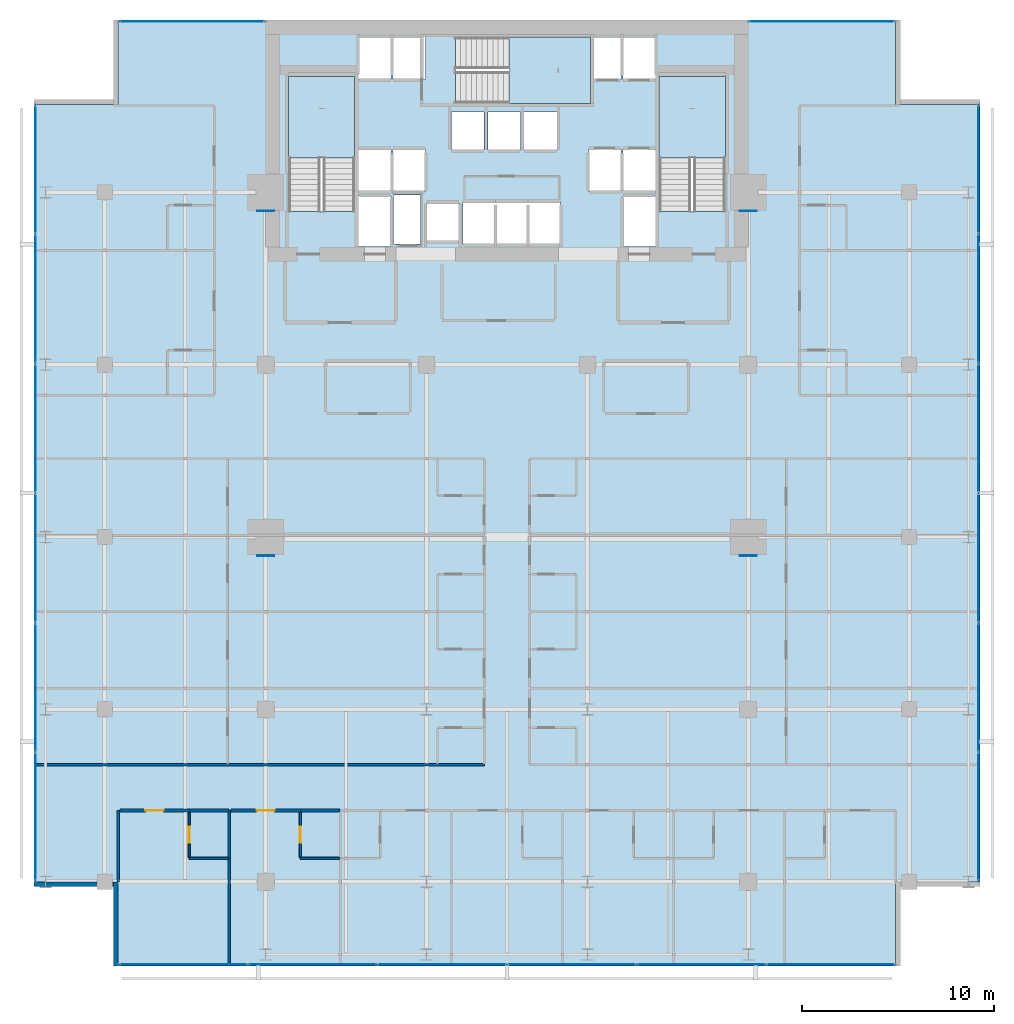
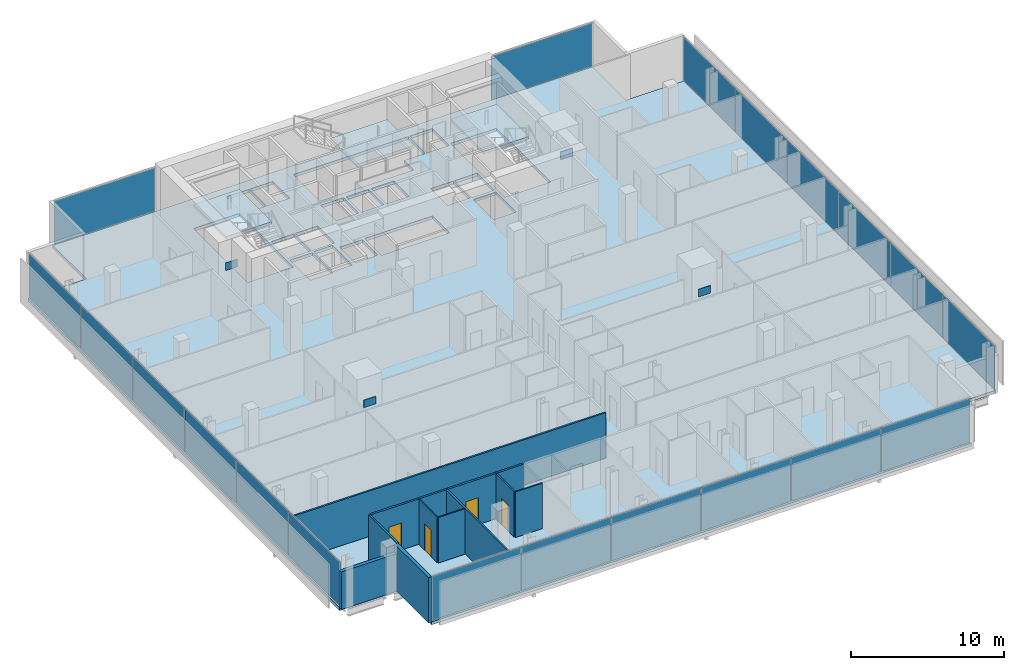
# One storey, part 26 of 34: 24 plates, 13 walls, 4 doors, 4 slabs, 4 openings, 8 elements without a shape of their own.
"""IFC4 building model written with IfcOpenShell, lengths in metres."""

from ifc_helpers import new_model, si_unit, direction, frame, frame_2d, origin, origin_2d, place, context, subcontext, project, spatial, polyline, rectangle, outline, extrude, material, layer, layer_set, type_object, element, fill, aggregate, save


model = new_model("IFC4")

# Units and contexts
model_context = context("Model", 3, precision=1e-05, world=origin(), true_north=direction((0.0, 1.0)))
body_context = subcontext(model_context, "Body", "Model", "MODEL_VIEW")
ifc_project = project(units=[si_unit("LENGTHUNIT", "METRE"), si_unit("AREAUNIT", "SQUARE_METRE"), si_unit("VOLUMEUNIT", "CUBIC_METRE"), si_unit("PLANEANGLEUNIT", "RADIAN"), si_unit("MASSUNIT", "GRAM", prefix="KILO")], contexts=[model_context])

# Site, building, storey
site_placement = place(None, origin())
site = spatial("IfcSite", under=ifc_project, at=site_placement, CompositionType="ELEMENT")
building_placement = place(site_placement, origin())
building = spatial("IfcBuilding", under=site, at=building_placement, Name="Maruvema Waterfront Hotel and Observation Tower", CompositionType="ELEMENT")
storey_placement = place(building_placement, frame((0.0, 0.0, 127.39990234375)))
storey = spatial("IfcBuildingStorey", under=building, at=storey_placement, Name="L30", CompositionType="ELEMENT", Elevation=127.39990234375)

# Slab
ifc_material_1 = material(Name="Concrete C50/60", Category="concrete")
ifc_layer_1 = layer(ifc_material_1, 0.239990234375, Name="Reinforced Concrete Floor Slab 240 mm")
ifc_layer_set_1 = layer_set([ifc_layer_1], Name="Concrete C50/60")
slab_type_1 = type_object("IfcSlabType", Name="Reinforced Concrete Floor Slab 240 mm", PredefinedType="FLOOR", material=ifc_layer_set_1)
slab_1_placement = place(storey_placement, frame((0.0, 0.0, -0.239990234375)))
element("IfcSlab", 1, at=slab_1_placement, inside=storey, type_object=slab_type_1, Name="L30 Structural Floor Slab", PredefinedType="FLOOR", context=body_context, shape_type="SweptSolid", body=[
    extrude(outline(polyline([(17.5, 4.60009765625), (58.10009765625, 4.60009765625), (58.10009765625, 9.0), (62.5, 9.0), (62.5, 49.60009765625), (58.10009765625, 49.60009765625), (58.10009765625, 54.0), (17.5, 54.0), (17.5, 49.60009765625), (13.10009765625, 49.60009765625), (13.10009765625, 9.0), (17.5, 9.0), (17.5, 4.60009765625)]), holes=[polyline([(26.39990234375, 44.00048828125), (26.39990234375, 51.050048828125), (29.85009765625, 51.050048828125), (29.85009765625, 44.00048828125), (26.39990234375, 44.00048828125)]), polyline([(30.050048828125, 44.800048828125), (31.75, 44.800048828125), (31.75, 42.169921875), (30.050048828125, 42.169921875), (30.050048828125, 44.800048828125)]), polyline([(31.75, 47.25), (31.75, 45.050048828125), (30.050048828125, 45.050048828125), (30.050048828125, 47.25), (31.75, 47.25)]), polyline([(31.75, 53.10009765625), (31.75, 50.89990234375), (30.050048828125, 50.89990234375), (30.050048828125, 53.10009765625), (31.75, 53.10009765625)]), polyline([(33.280029296875, 44.860107421875), (33.280029296875, 42.2900390625), (31.8798828125, 42.2900390625), (31.8798828125, 44.860107421875), (33.280029296875, 44.860107421875)]), polyline([(31.85009765625, 47.25), (33.550048828125, 47.25), (33.550048828125, 45.050048828125), (31.85009765625, 45.050048828125), (31.85009765625, 47.25)]), polyline([(31.85009765625, 53.10009765625), (33.550048828125, 53.10009765625), (33.550048828125, 50.89990234375), (31.85009765625, 50.89990234375), (31.85009765625, 53.10009765625)]), polyline([(33.60009765625, 44.449951171875), (35.300048828125, 44.449951171875), (35.300048828125, 42.449951171875), (33.60009765625, 42.449951171875), (33.60009765625, 44.449951171875)]), polyline([(34.89990234375, 49.199951171875), (36.60009765625, 49.199951171875), (36.60009765625, 47.199951171875), (34.89990234375, 47.199951171875), (34.89990234375, 49.199951171875)]), polyline([(38.5, 49.199951171875), (38.5, 47.199951171875), (36.800048828125, 47.199951171875), (36.800048828125, 49.199951171875), (38.5, 49.199951171875)]), polyline([(35.5, 44.5), (40.60009765625, 44.5), (40.60009765625, 42.300048828125), (35.5, 42.300048828125), (35.5, 44.5)]), polyline([(43.75, 50.89990234375), (42.14990234375, 50.89990234375), (42.14990234375, 49.64990234375), (35.1005859375, 49.64990234375), (35.1005859375, 53.10009765625), (43.75, 53.10009765625), (43.75, 50.89990234375)]), polyline([(40.39990234375, 49.199951171875), (40.39990234375, 47.199951171875), (38.699951171875, 47.199951171875), (38.699951171875, 49.199951171875), (40.39990234375, 49.199951171875)]), polyline([(43.75, 47.25), (43.75, 45.050048828125), (42.050048828125, 45.050048828125), (42.050048828125, 47.25), (43.75, 47.25)]), polyline([(45.550048828125, 44.800048828125), (45.550048828125, 42.169921875), (43.85009765625, 42.169921875), (43.85009765625, 44.800048828125), (45.550048828125, 44.800048828125)]), polyline([(43.85009765625, 47.25), (45.550048828125, 47.25), (45.550048828125, 45.050048828125), (43.85009765625, 45.050048828125), (43.85009765625, 47.25)]), polyline([(45.550048828125, 53.10009765625), (45.550048828125, 50.89990234375), (43.85009765625, 50.89990234375), (43.85009765625, 53.10009765625), (45.550048828125, 53.10009765625)]), polyline([(45.75, 51.050048828125), (49.199951171875, 51.050048828125), (49.199951171875, 44.00048828125), (45.75, 44.00048828125), (45.75, 51.050048828125)])]), origin(), (0.0, 0.0, 1.0), 0.239990234375),
])

# Curtain wall, plates
ifc_material_2 = material(Name="Anodised bronze aluminium and solar-control low-E IGU", Category="aluminium")
ifc_layer_2 = layer(ifc_material_2, 0.159912109375, Name="Zone 2 Amber Inner Thermal Curtain Wall System CW-03")
ifc_layer_set_2 = layer_set([ifc_layer_2], Name="Anodised bronze aluminium and solar-control low-E IGU")
curtain_wall_type = type_object("IfcCurtainWallType", Name="Zone 2 Amber Inner Thermal Curtain Wall System CW-03", PredefinedType="USERDEFINED", material=ifc_layer_set_2)
curtain_wall_1_placement = place(storey_placement, origin())
curtain_wall_1 = element("IfcCurtainWall", 2, at=curtain_wall_1_placement, inside=storey, type_object=curtain_wall_type, Name="L30 Curtain Wall CW-L30-S", ObjectType="UNITISED CURTAIN WALL", PredefinedType="USERDEFINED")
ifc_material_3 = material(Name="Laminated low-E solar-control double glazing", Category="glass")
ifc_layer_3 = layer(ifc_material_3, 0.035888671875, Name="Solar Control Double-Glazed Curtain Panel 36 mm")
ifc_layer_set_3 = layer_set([ifc_layer_3], Name="Laminated low-E solar-control double glazing")
plate_type_1 = type_object("IfcPlateType", Name="Solar Control Double-Glazed Curtain Panel 36 mm", PredefinedType="CURTAIN_PANEL", material=ifc_layer_set_3)
plate_1_placement = place(storey_placement, frame((20.8984375, 4.679931640625, 0.06005859375), z_axis=(0.0, 0.0, 1.0), x_axis=(1.0, 0.0, 0.0)))
plate_1 = element("IfcPlate", 3, at=plate_1_placement, type_object=plate_type_1, Name="CW-03 panel 1.1", PredefinedType="CURTAIN_PANEL", context=body_context, shape_type="SweptSolid", body=[
    extrude(rectangle(XDim=6.6767578125, YDim=0.028076171875, at=origin_2d()), origin(), (0.0, 0.0, 1.0), 3.489990234375),
])
plate_2_placement = place(storey_placement, frame((27.64990234375, 4.679931640625, 0.06005859375), z_axis=(0.0, 0.0, 1.0), x_axis=(1.0, 0.0, 0.0)))
plate_2 = element("IfcPlate", 4, at=plate_2_placement, type_object=plate_type_1, Name="CW-03 panel 2.1", PredefinedType="CURTAIN_PANEL", context=body_context, shape_type="SweptSolid", body=[
    extrude(rectangle(XDim=6.706787109375, YDim=0.028076171875, at=origin_2d()), origin(), (0.0, 0.0, 1.0), 3.489990234375),
])
plate_3_placement = place(storey_placement, frame((34.416748046875, 4.679931640625, 0.06005859375), z_axis=(0.0, 0.0, 1.0), x_axis=(1.0, 0.0, 0.0)))
plate_3 = element("IfcPlate", 5, at=plate_3_placement, type_object=plate_type_1, Name="CW-03 panel 3.1", PredefinedType="CURTAIN_PANEL", context=body_context, shape_type="SweptSolid", body=[
    extrude(rectangle(XDim=6.706787109375, YDim=0.028076171875, at=origin_2d()), origin(), (0.0, 0.0, 1.0), 3.489990234375),
])
plate_4_placement = place(storey_placement, frame((41.183349609375, 4.679931640625, 0.06005859375), z_axis=(0.0, 0.0, 1.0), x_axis=(1.0, 0.0, 0.0)))
plate_4 = element("IfcPlate", 6, at=plate_4_placement, type_object=plate_type_1, Name="CW-03 panel 4.1", PredefinedType="CURTAIN_PANEL", context=body_context, shape_type="SweptSolid", body=[
    extrude(rectangle(XDim=6.706787109375, YDim=0.028076171875, at=origin_2d()), origin(), (0.0, 0.0, 1.0), 3.489990234375),
])
plate_5_placement = place(storey_placement, frame((47.949951171875, 4.679931640625, 0.06005859375), z_axis=(0.0, 0.0, 1.0), x_axis=(1.0, 0.0, 0.0)))
plate_5 = element("IfcPlate", 7, at=plate_5_placement, type_object=plate_type_1, Name="CW-03 panel 5.1", PredefinedType="CURTAIN_PANEL", context=body_context, shape_type="SweptSolid", body=[
    extrude(rectangle(XDim=6.706787109375, YDim=0.028076171875, at=origin_2d()), origin(), (0.0, 0.0, 1.0), 3.489990234375),
])
plate_6_placement = place(storey_placement, frame((54.70166015625, 4.679931640625, 0.06005859375), z_axis=(0.0, 0.0, 1.0), x_axis=(1.0, 0.0, 0.0)))
plate_6 = element("IfcPlate", 8, at=plate_6_placement, type_object=plate_type_1, Name="CW-03 panel 6.1", PredefinedType="CURTAIN_PANEL", context=body_context, shape_type="SweptSolid", body=[
    extrude(rectangle(XDim=6.6767578125, YDim=0.028076171875, at=origin_2d()), origin(), (0.0, 0.0, 1.0), 3.489990234375),
])
aggregate(curtain_wall_1, [plate_1, plate_2, plate_3, plate_4, plate_5, plate_6])

curtain_wall_2_placement = place(storey_placement, origin())
curtain_wall_2 = element("IfcCurtainWall", 9, at=curtain_wall_2_placement, inside=storey, type_object=curtain_wall_type, Name="L30 Curtain Wall CW-L30-E", ObjectType="UNITISED CURTAIN WALL", PredefinedType="USERDEFINED")
plate_7_placement = place(storey_placement, frame((62.419921875, 12.3984375, 0.06005859375), z_axis=(0.0, 0.0, 1.0), x_axis=(0.0, 1.0, 0.0)))
plate_7 = element("IfcPlate", 10, at=plate_7_placement, type_object=plate_type_1, Name="CW-03 panel 1.1", PredefinedType="CURTAIN_PANEL", context=body_context, shape_type="SweptSolid", body=[
    extrude(rectangle(XDim=6.6767578125, YDim=0.028076171875, at=origin_2d()), origin(), (0.0, 0.0, 1.0), 3.489990234375),
])
plate_8_placement = place(storey_placement, frame((62.419921875, 19.14990234375, 0.06005859375), z_axis=(0.0, 0.0, 1.0), x_axis=(0.0, 1.0, 0.0)))
plate_8 = element("IfcPlate", 11, at=plate_8_placement, type_object=plate_type_1, Name="CW-03 panel 2.1", PredefinedType="CURTAIN_PANEL", context=body_context, shape_type="SweptSolid", body=[
    extrude(rectangle(XDim=6.706787109375, YDim=0.028076171875, at=origin_2d()), origin(), (0.0, 0.0, 1.0), 3.489990234375),
])
plate_9_placement = place(storey_placement, frame((62.419921875, 25.916748046875, 0.06005859375), z_axis=(0.0, 0.0, 1.0), x_axis=(0.0, 1.0, 0.0)))
plate_9 = element("IfcPlate", 12, at=plate_9_placement, type_object=plate_type_1, Name="CW-03 panel 3.1", PredefinedType="CURTAIN_PANEL", context=body_context, shape_type="SweptSolid", body=[
    extrude(rectangle(XDim=6.706787109375, YDim=0.028076171875, at=origin_2d()), origin(), (0.0, 0.0, 1.0), 3.489990234375),
])
plate_10_placement = place(storey_placement, frame((62.419921875, 32.683349609375, 0.06005859375), z_axis=(0.0, 0.0, 1.0), x_axis=(0.0, 1.0, 0.0)))
plate_10 = element("IfcPlate", 13, at=plate_10_placement, type_object=plate_type_1, Name="CW-03 panel 4.1", PredefinedType="CURTAIN_PANEL", context=body_context, shape_type="SweptSolid", body=[
    extrude(rectangle(XDim=6.706787109375, YDim=0.028076171875, at=origin_2d()), origin(), (0.0, 0.0, 1.0), 3.489990234375),
])
plate_11_placement = place(storey_placement, frame((62.419921875, 39.449951171875, 0.06005859375), z_axis=(0.0, 0.0, 1.0), x_axis=(0.0, 1.0, 0.0)))
plate_11 = element("IfcPlate", 14, at=plate_11_placement, type_object=plate_type_1, Name="CW-03 panel 5.1", PredefinedType="CURTAIN_PANEL", context=body_context, shape_type="SweptSolid", body=[
    extrude(rectangle(XDim=6.706787109375, YDim=0.028076171875, at=origin_2d()), origin(), (0.0, 0.0, 1.0), 3.489990234375),
])
plate_12_placement = place(storey_placement, frame((62.419921875, 46.20166015625, 0.06005859375), z_axis=(0.0, 0.0, 1.0), x_axis=(0.0, 1.0, 0.0)))
plate_12 = element("IfcPlate", 15, at=plate_12_placement, type_object=plate_type_1, Name="CW-03 panel 6.1", PredefinedType="CURTAIN_PANEL", context=body_context, shape_type="SweptSolid", body=[
    extrude(rectangle(XDim=6.6767578125, YDim=0.028076171875, at=origin_2d()), origin(), (0.0, 0.0, 1.0), 3.489990234375),
])
aggregate(curtain_wall_2, [plate_7, plate_8, plate_9, plate_10, plate_11, plate_12])

curtain_wall_3_placement = place(storey_placement, origin())
curtain_wall_3 = element("IfcCurtainWall", 16, at=curtain_wall_3_placement, inside=storey, type_object=curtain_wall_type, Name="L30 Curtain Wall CW-L30-W", ObjectType="UNITISED CURTAIN WALL", PredefinedType="USERDEFINED")
plate_13_placement = place(storey_placement, frame((13.179931640625, 46.20166015625, 0.06005859375), z_axis=(0.0, 0.0, 1.0), x_axis=(0.0, -1.0, 0.0)))
plate_13 = element("IfcPlate", 17, at=plate_13_placement, type_object=plate_type_1, Name="CW-03 panel 1.1", PredefinedType="CURTAIN_PANEL", context=body_context, shape_type="SweptSolid", body=[
    extrude(rectangle(XDim=6.6767578125, YDim=0.028076171875, at=origin_2d()), origin(), (0.0, 0.0, 1.0), 3.489990234375),
])
plate_14_placement = place(storey_placement, frame((13.179931640625, 39.449951171875, 0.06005859375), z_axis=(0.0, 0.0, 1.0), x_axis=(0.0, -1.0, 0.0)))
plate_14 = element("IfcPlate", 18, at=plate_14_placement, type_object=plate_type_1, Name="CW-03 panel 2.1", PredefinedType="CURTAIN_PANEL", context=body_context, shape_type="SweptSolid", body=[
    extrude(rectangle(XDim=6.706787109375, YDim=0.028076171875, at=origin_2d()), origin(), (0.0, 0.0, 1.0), 3.489990234375),
])
plate_15_placement = place(storey_placement, frame((13.179931640625, 32.683349609375, 0.06005859375), z_axis=(0.0, 0.0, 1.0), x_axis=(0.0, -1.0, 0.0)))
plate_15 = element("IfcPlate", 19, at=plate_15_placement, type_object=plate_type_1, Name="CW-03 panel 3.1", PredefinedType="CURTAIN_PANEL", context=body_context, shape_type="SweptSolid", body=[
    extrude(rectangle(XDim=6.706787109375, YDim=0.028076171875, at=origin_2d()), origin(), (0.0, 0.0, 1.0), 3.489990234375),
])
plate_16_placement = place(storey_placement, frame((13.179931640625, 25.916748046875, 0.06005859375), z_axis=(0.0, 0.0, 1.0), x_axis=(0.0, -1.0, 0.0)))
plate_16 = element("IfcPlate", 20, at=plate_16_placement, type_object=plate_type_1, Name="CW-03 panel 4.1", PredefinedType="CURTAIN_PANEL", context=body_context, shape_type="SweptSolid", body=[
    extrude(rectangle(XDim=6.706787109375, YDim=0.028076171875, at=origin_2d()), origin(), (0.0, 0.0, 1.0), 3.489990234375),
])
plate_17_placement = place(storey_placement, frame((13.179931640625, 19.14990234375, 0.06005859375), z_axis=(0.0, 0.0, 1.0), x_axis=(0.0, -1.0, 0.0)))
plate_17 = element("IfcPlate", 21, at=plate_17_placement, type_object=plate_type_1, Name="CW-03 panel 5.1", PredefinedType="CURTAIN_PANEL", context=body_context, shape_type="SweptSolid", body=[
    extrude(rectangle(XDim=6.706787109375, YDim=0.028076171875, at=origin_2d()), origin(), (0.0, 0.0, 1.0), 3.489990234375),
])
plate_18_placement = place(storey_placement, frame((13.179931640625, 12.3984375, 0.06005859375), z_axis=(0.0, 0.0, 1.0), x_axis=(0.0, -1.0, 0.0)))
plate_18 = element("IfcPlate", 22, at=plate_18_placement, type_object=plate_type_1, Name="CW-03 panel 6.1", PredefinedType="CURTAIN_PANEL", context=body_context, shape_type="SweptSolid", body=[
    extrude(rectangle(XDim=6.6767578125, YDim=0.028076171875, at=origin_2d()), origin(), (0.0, 0.0, 1.0), 3.489990234375),
])
aggregate(curtain_wall_3, [plate_13, plate_14, plate_15, plate_16, plate_17, plate_18])

# Curtain wall, plate
curtain_wall_4_placement = place(storey_placement, origin())
curtain_wall_4 = element("IfcCurtainWall", 23, at=curtain_wall_4_placement, inside=storey, type_object=curtain_wall_type, Name="L30 Curtain Wall CW-L30-NW", ObjectType="UNITISED CURTAIN WALL", PredefinedType="USERDEFINED")
plate_19_placement = place(storey_placement, frame((21.35009765625, 53.919921875, 0.06005859375), z_axis=(0.0, 0.0, 1.0), x_axis=(-1.0, 0.0, 0.0)))
plate_19 = element("IfcPlate", 24, at=plate_19_placement, type_object=plate_type_1, Name="CW-03 panel 1.1", PredefinedType="CURTAIN_PANEL", context=body_context, shape_type="SweptSolid", body=[
    extrude(rectangle(XDim=7.580078125, YDim=0.028076171875, at=origin_2d()), origin(), (0.0, 0.0, 1.0), 3.489990234375),
])
aggregate(curtain_wall_4, [plate_19])

curtain_wall_5_placement = place(storey_placement, origin())
curtain_wall_5 = element("IfcCurtainWall", 25, at=curtain_wall_5_placement, inside=storey, type_object=curtain_wall_type, Name="L30 Curtain Wall CW-L30-NE", ObjectType="UNITISED CURTAIN WALL", PredefinedType="USERDEFINED")
plate_20_placement = place(storey_placement, frame((54.25, 53.919921875, 0.06005859375), z_axis=(0.0, 0.0, 1.0), x_axis=(-1.0, 0.0, 0.0)))
plate_20 = element("IfcPlate", 26, at=plate_20_placement, type_object=plate_type_1, Name="CW-03 panel 1.1", PredefinedType="CURTAIN_PANEL", context=body_context, shape_type="SweptSolid", body=[
    extrude(rectangle(XDim=7.580078125, YDim=0.028076171875, at=origin_2d()), origin(), (0.0, 0.0, 1.0), 3.489990234375),
])
aggregate(curtain_wall_5, [plate_20])

# Stair, slab
ifc_material_4 = material(Name="Concrete C50/60", Category="concrete")
stair_type = type_object("IfcStairType", Name="Dogleg Exit Stair 1650 mm (22R x 175.0 mm)", PredefinedType="HALF_TURN_STAIR", material=ifc_material_4)
stair_1_placement = place(storey_placement, origin())
stair_1 = element("IfcStair", 27, at=stair_1_placement, inside=storey, type_object=stair_type, Name="L30 ST-01", PredefinedType="HALF_TURN_STAIR")
ifc_material_5 = material(Name="Concrete C50/60", Category="concrete")
ifc_layer_4 = layer(ifc_material_5, 0.219970703125, Name="Stair Concrete Landing Slab 220 mm")
ifc_layer_set_4 = layer_set([ifc_layer_4], Name="Concrete C50/60")
slab_type_2 = type_object("IfcSlabType", Name="Stair Concrete Landing Slab 220 mm", PredefinedType="LANDING", material=ifc_layer_set_4)
slab_2_placement = place(storey_placement, frame((0.0, 0.0, 1.705078125)))
slab_2 = element("IfcSlab", 28, at=slab_2_placement, type_object=slab_type_2, Name="ST-01 landing 1", PredefinedType="LANDING", context=body_context, shape_type="SweptSolid", body=[
    extrude(outline(polyline([(29.85009765625, 46.800048828125), (29.85009765625, 51.050048828125), (26.39990234375, 51.050048828125), (26.39990234375, 46.800048828125), (29.85009765625, 46.800048828125)])), origin(), (0.0, 0.0, 1.0), 0.219970703125),
])
aggregate(stair_1, [slab_2])

stair_2_placement = place(storey_placement, origin())
stair_2 = element("IfcStair", 29, at=stair_2_placement, inside=storey, type_object=stair_type, Name="L30 ST-02", PredefinedType="HALF_TURN_STAIR")
slab_3_placement = place(storey_placement, frame((0.0, 0.0, 1.705078125)))
slab_3 = element("IfcSlab", 30, at=slab_3_placement, type_object=slab_type_2, Name="ST-02 landing 1", PredefinedType="LANDING", context=body_context, shape_type="SweptSolid", body=[
    extrude(outline(polyline([(37.89990234375, 49.64990234375), (42.14990234375, 49.64990234375), (42.14990234375, 53.10009765625), (37.89990234375, 53.10009765625), (37.89990234375, 49.64990234375)])), origin(), (0.0, 0.0, 1.0), 0.219970703125),
])
aggregate(stair_2, [slab_3])

stair_3_placement = place(storey_placement, origin())
stair_3 = element("IfcStair", 31, at=stair_3_placement, inside=storey, type_object=stair_type, Name="L30 ST-03", PredefinedType="HALF_TURN_STAIR")
slab_4_placement = place(storey_placement, frame((0.0, 0.0, 1.705078125)))
slab_4 = element("IfcSlab", 32, at=slab_4_placement, type_object=slab_type_2, Name="ST-03 landing 1", PredefinedType="LANDING", context=body_context, shape_type="SweptSolid", body=[
    extrude(outline(polyline([(49.199951171875, 46.800048828125), (49.199951171875, 51.050048828125), (45.75, 51.050048828125), (45.75, 46.800048828125), (49.199951171875, 46.800048828125)])), origin(), (0.0, 0.0, 1.0), 0.219970703125),
])
aggregate(stair_3, [slab_4])

# Plates
ifc_material_6 = material(Name="Steel ABNT NBR 7007 AR 415 (ASTM A572 Grade 50)", Category="steel")
ifc_layer_5 = layer(ifc_material_6, 0.0400390625, Name="Structural Truss Node Gusset Plate 40 mm")
ifc_layer_set_5 = layer_set([ifc_layer_5], Name="Steel ABNT NBR 7007 AR 415 (ASTM A572 Grade 50)")
plate_type_2 = type_object("IfcPlateType", Name="Structural Truss Node Gusset Plate 40 mm", PredefinedType="USERDEFINED", material=ifc_layer_set_5)
for number, where, z_axis, x_axis, name in (
    (33, (25.199951171875, 26.030029296875, 1.5), (0.0, 0.0, 1.0), (1.0, 0.0, 0.0), "L30 MC-01 Moment Frame Continuity Gusset Plate"),
    (34, (50.39990234375, 26.030029296875, 1.5), (0.0, 0.0, 1.0), (1.0, 0.0, 0.0), "L30 MC-02 Moment Frame Continuity Gusset Plate"),
    (35, (25.199951171875, 44.030029296875, 1.5), (0.0, 0.0, 1.0), (1.0, 0.0, 0.0), "L30 MC-03 Moment Frame Continuity Gusset Plate"),
    (36, (50.39990234375, 44.030029296875, 1.5), (0.0, 0.0, 1.0), (1.0, 0.0, 0.0), "L30 MC-04 Moment Frame Continuity Gusset Plate"),
):
    element("IfcPlate", number, at=place(storey_placement, frame(where, z_axis=z_axis, x_axis=x_axis)), inside=storey, type_object=plate_type_2, Name=name, ObjectType="GUSSET_PLATE", PredefinedType="USERDEFINED", context=body_context, shape_type="SweptSolid", body=[
        extrude(rectangle(XDim=0.89990234375, YDim=0.0400390625, at=origin_2d()), origin(), (0.0, 0.0, 1.0), 0.60009765625),
    ])

# Wall
ifc_material_7 = material(Name="Twin-stud acoustic gypsum drywall", Category="gypsum")
ifc_layer_6 = layer(ifc_material_7, 0.14990234375, Name="Acoustic Corridor and Suite Demising Wall 150 mm")
ifc_layer_set_6 = layer_set([ifc_layer_6], Name="Twin-stud acoustic gypsum drywall")
wall_type_1 = type_object("IfcWallType", Name="Acoustic Corridor and Suite Demising Wall 150 mm", PredefinedType="PARTITIONING", material=ifc_layer_set_6)
wall_1_placement = place(storey_placement, frame((21.2099609375, 12.719970703125, 0.0), z_axis=(0.0, 0.0, 1.0), x_axis=(1.0, 0.0, 0.0)))
element("IfcWall", 37, at=wall_1_placement, inside=storey, type_object=wall_type_1, Name="L30 Bath L30-S1 Back Wall 026", PredefinedType="PARTITIONING", context=body_context, shape_type="SweptSolid", body=[
    extrude(rectangle(XDim=2.070068359375, YDim=0.14990234375, at=frame_2d((1.03515625, 0.0))), origin(), (0.0, 0.0, 1.0), 3.610107421875),
])

# Wall, opening, door
wall_2_placement = place(storey_placement, frame((17.580078125, 12.719970703125, 0.0), z_axis=(0.0, 0.0, 1.0), x_axis=(1.0, 0.0, 0.0)))
wall_2 = element("IfcWall", 38, at=wall_2_placement, inside=storey, type_object=wall_type_1, Name="L30 Unit L30-S1 Corridor Wall 029", PredefinedType="PARTITIONING", context=body_context, shape_type="SweptSolid", body=[
    extrude(rectangle(XDim=3.6298828125, YDim=0.14990234375, at=frame_2d((1.81494140625, 0.0))), origin(), (0.0, 0.0, 1.0), 3.610107421875),
])
opening_1_placement = place(wall_2_placement, frame((1.340087890625, 0.0, 0.0)))
opening_1 = element("IfcOpeningElement", 39, at=opening_1_placement, cuts=wall_2, Name="Opening DR-095", PredefinedType="OPENING", context=body_context, shape_type="SweptSolid", body=[
    extrude(rectangle(XDim=0.949951171875, YDim=2.14990234375, at=frame_2d((0.47509765625, 1.074951171875))), frame((0.0, 0.0849609375, 0.0), z_axis=(0.0, -1.0, 0.0), x_axis=(1.0, 0.0, 0.0)), (0.0, 0.0, 1.0), 0.169921875),
])
ifc_material_8 = material(Name="Acoustic solid-core hardwood timber leaf", Category="wood")
door_type_1 = type_object("IfcDoorType", Name="Guestroom Entrance Fire Door 950x2150 mm", OperationType="NOTDEFINED", PredefinedType="DOOR", material=ifc_material_8)
door_1_placement = place(opening_1_placement, frame((0.949951171875, 0.0, 0.0), z_axis=(0.0, 0.0, 1.0), x_axis=(-1.0, 0.0, 0.0)))
door_1 = element("IfcDoor", 40, at=door_1_placement, inside=storey, type_object=door_type_1, Name="L30 Unit L30-S1 Entrance Door", OperationType="SINGLE_SWING_RIGHT", OverallHeight=2.14990234375, OverallWidth=0.949951171875, PredefinedType="DOOR", context=body_context, shape_type="SweptSolid", body=[
    extrude(rectangle(XDim=0.949951171875, YDim=2.14990234375, at=frame_2d((0.47509765625, 1.074951171875))), frame((0.0, 0.02490234375, 0.0), z_axis=(0.0, -1.0, 0.0), x_axis=(1.0, 0.0, 0.0)), (0.0, 0.0, 1.0), 0.050048828125),
])
fill(opening_1, door_1)

# Wall
wall_3_placement = place(storey_placement, frame((27.010009765625, 12.719970703125, 0.0), z_axis=(0.0, 0.0, 1.0), x_axis=(1.0, 0.0, 0.0)))
element("IfcWall", 41, at=wall_3_placement, inside=storey, type_object=wall_type_1, Name="L30 Bath L30-S2 Back Wall 031", PredefinedType="PARTITIONING", context=body_context, shape_type="SweptSolid", body=[
    extrude(rectangle(XDim=2.070068359375, YDim=0.14990234375, at=frame_2d((1.03515625, 0.0))), origin(), (0.0, 0.0, 1.0), 3.610107421875),
])

# Wall, opening, door
wall_4_placement = place(storey_placement, frame((23.3798828125, 12.719970703125, 0.0), z_axis=(0.0, 0.0, 1.0), x_axis=(1.0, 0.0, 0.0)))
wall_4 = element("IfcWall", 42, at=wall_4_placement, inside=storey, type_object=wall_type_1, Name="L30 Unit L30-S2 Corridor Wall 034", PredefinedType="PARTITIONING", context=body_context, shape_type="SweptSolid", body=[
    extrude(rectangle(XDim=3.630126953125, YDim=0.14990234375, at=frame_2d((1.81494140625, 0.0))), origin(), (0.0, 0.0, 1.0), 3.610107421875),
])
opening_2_placement = place(wall_4_placement, frame((1.340087890625, 0.0, 0.0)))
opening_2 = element("IfcOpeningElement", 43, at=opening_2_placement, cuts=wall_4, Name="Opening DR-095", PredefinedType="OPENING", context=body_context, shape_type="SweptSolid", body=[
    extrude(rectangle(XDim=0.949951171875, YDim=2.14990234375, at=frame_2d((0.47509765625, 1.074951171875))), frame((0.0, 0.0849609375, 0.0), z_axis=(0.0, -1.0, 0.0), x_axis=(1.0, 0.0, 0.0)), (0.0, 0.0, 1.0), 0.169921875),
])
door_2_placement = place(opening_2_placement, frame((0.949951171875, 0.0, 0.0), z_axis=(0.0, 0.0, 1.0), x_axis=(-1.0, 0.0, 0.0)))
door_2 = element("IfcDoor", 44, at=door_2_placement, inside=storey, type_object=door_type_1, Name="L30 Unit L30-S2 Entrance Door", OperationType="SINGLE_SWING_RIGHT", OverallHeight=2.14990234375, OverallWidth=0.949951171875, PredefinedType="DOOR", context=body_context, shape_type="SweptSolid", body=[
    extrude(rectangle(XDim=0.949951171875, YDim=2.14990234375, at=frame_2d((0.47509765625, 1.074951171875))), frame((0.0, 0.02490234375, 0.0), z_axis=(0.0, -1.0, 0.0), x_axis=(1.0, 0.0, 0.0)), (0.0, 0.0, 1.0), 0.050048828125),
])
fill(opening_2, door_2)

# Wall
ifc_material_9 = material(Name="Moisture-resistant cement-board drywall", Category="gypsum")
ifc_layer_7 = layer(ifc_material_9, 0.10009765625, Name="En-Suite Moisture-Resistant Partition 100 mm")
ifc_layer_set_7 = layer_set([ifc_layer_7], Name="Moisture-resistant cement-board drywall")
wall_type_2 = type_object("IfcWallType", Name="En-Suite Moisture-Resistant Partition 100 mm", PredefinedType="PARTITIONING", material=ifc_layer_set_7)
wall_5_placement = place(storey_placement, frame((21.2099609375, 10.219970703125, 0.0), z_axis=(0.0, 0.0, 1.0), x_axis=(1.0, 0.0, 0.0)))
element("IfcWall", 45, at=wall_5_placement, inside=storey, type_object=wall_type_2, Name="L30 En-Suite L30-S1 South 027", PredefinedType="PARTITIONING", context=body_context, shape_type="SweptSolid", body=[
    extrude(rectangle(XDim=2.050048828125, YDim=0.10009765625, at=frame_2d((1.02490234375, 0.0))), origin(), (0.0, 0.0, 1.0), 3.610107421875),
])

# Wall, opening, door
wall_6_placement = place(storey_placement, frame((21.2099609375, 10.280029296875, 0.0), z_axis=(0.0, 0.0, 1.0), x_axis=(0.0, 1.0, 0.0)))
wall_6 = element("IfcWall", 46, at=wall_6_placement, inside=storey, type_object=wall_type_2, Name="L30 En-Suite L30-S1 West 028", PredefinedType="PARTITIONING", context=body_context, shape_type="SweptSolid", body=[
    extrude(rectangle(XDim=2.340087890625, YDim=0.10009765625, at=frame_2d((1.169921875, 0.0))), origin(), (0.0, 0.0, 1.0), 3.610107421875),
])
opening_3_placement = place(wall_6_placement, frame((0.7451171875, 0.0, 0.0)))
opening_3 = element("IfcOpeningElement", 47, at=opening_3_placement, cuts=wall_6, Name="Opening DR-085", PredefinedType="OPENING", context=body_context, shape_type="SweptSolid", body=[
    extrude(rectangle(XDim=0.85009765625, YDim=2.10009765625, at=frame_2d((0.425048828125, 1.050048828125))), frame((0.0, 0.06005859375, 0.0), z_axis=(0.0, -1.0, 0.0), x_axis=(1.0, 0.0, 0.0)), (0.0, 0.0, 1.0), 0.1201171875),
])
ifc_material_10 = material(Name="Moisture-resistant solid timber leaf", Category="wood")
door_type_2 = type_object("IfcDoorType", Name="En-Suite Bathroom Door 850x2100 mm", OperationType="NOTDEFINED", PredefinedType="DOOR", material=ifc_material_10)
door_3_placement = place(opening_3_placement, origin())
door_3 = element("IfcDoor", 48, at=door_3_placement, inside=storey, type_object=door_type_2, Name="L30 En-Suite L30-S1 Door", OperationType="SINGLE_SWING_LEFT", OverallHeight=2.10009765625, OverallWidth=0.85009765625, PredefinedType="DOOR", context=body_context, shape_type="SweptSolid", body=[
    extrude(rectangle(XDim=0.85009765625, YDim=2.10009765625, at=frame_2d((0.425048828125, 1.050048828125))), frame((0.0, 0.02490234375, 0.0), z_axis=(0.0, -1.0, 0.0), x_axis=(1.0, 0.0, 0.0)), (0.0, 0.0, 1.0), 0.050048828125),
])
fill(opening_3, door_3)

# Wall
wall_7_placement = place(storey_placement, frame((27.010009765625, 10.219970703125, 0.0), z_axis=(0.0, 0.0, 1.0), x_axis=(1.0, 0.0, 0.0)))
element("IfcWall", 49, at=wall_7_placement, inside=storey, type_object=wall_type_2, Name="L30 En-Suite L30-S2 South 032", PredefinedType="PARTITIONING", context=body_context, shape_type="SweptSolid", body=[
    extrude(rectangle(XDim=2.050048828125, YDim=0.10009765625, at=frame_2d((1.02490234375, 0.0))), origin(), (0.0, 0.0, 1.0), 3.610107421875),
])

# Wall, opening, door
wall_8_placement = place(storey_placement, frame((27.010009765625, 10.280029296875, 0.0), z_axis=(0.0, 0.0, 1.0), x_axis=(0.0, 1.0, 0.0)))
wall_8 = element("IfcWall", 50, at=wall_8_placement, inside=storey, type_object=wall_type_2, Name="L30 En-Suite L30-S2 West 033", PredefinedType="PARTITIONING", context=body_context, shape_type="SweptSolid", body=[
    extrude(rectangle(XDim=2.340087890625, YDim=0.10009765625, at=frame_2d((1.169921875, 0.0))), origin(), (0.0, 0.0, 1.0), 3.610107421875),
])
opening_4_placement = place(wall_8_placement, frame((0.7451171875, 0.0, 0.0)))
opening_4 = element("IfcOpeningElement", 51, at=opening_4_placement, cuts=wall_8, Name="Opening DR-085", PredefinedType="OPENING", context=body_context, shape_type="SweptSolid", body=[
    extrude(rectangle(XDim=0.85009765625, YDim=2.10009765625, at=frame_2d((0.425048828125, 1.050048828125))), frame((0.0, 0.06005859375, 0.0), z_axis=(0.0, -1.0, 0.0), x_axis=(1.0, 0.0, 0.0)), (0.0, 0.0, 1.0), 0.1201171875),
])
door_4_placement = place(opening_4_placement, origin())
door_4 = element("IfcDoor", 52, at=door_4_placement, inside=storey, type_object=door_type_2, Name="L30 En-Suite L30-S2 Door", OperationType="SINGLE_SWING_LEFT", OverallHeight=2.10009765625, OverallWidth=0.85009765625, PredefinedType="DOOR", context=body_context, shape_type="SweptSolid", body=[
    extrude(rectangle(XDim=0.85009765625, YDim=2.10009765625, at=frame_2d((0.425048828125, 1.050048828125))), frame((0.0, 0.02490234375, 0.0), z_axis=(0.0, -1.0, 0.0), x_axis=(1.0, 0.0, 0.0)), (0.0, 0.0, 1.0), 0.050048828125),
])
fill(opening_4, door_4)

# Walls
ifc_material_11 = material(Name="Precast concrete C45/55 with honed Pernambuco granite facing", Category="masonry")
ifc_layer_8 = layer(ifc_material_11, 0.260009765625, Name="Exterior Granite Clad Spandrel and Pier Wall 260 mm")
ifc_layer_set_8 = layer_set([ifc_layer_8], Name="Precast concrete C45/55 with honed Pernambuco granite facing")
wall_type_3 = type_object("IfcWallType", Name="Exterior Granite Clad Spandrel and Pier Wall 260 mm", PredefinedType="SOLIDWALL", material=ifc_layer_set_8)
wall_9_placement = place(storey_placement, frame((17.3701171875, 4.60009765625, 0.0), z_axis=(0.0, 0.0, 1.0), x_axis=(0.0, 1.0, 0.0)))
element("IfcWall", 53, at=wall_9_placement, inside=storey, type_object=wall_type_3, Name="L30 Corner Notch Granite Pier Wall SW1", PredefinedType="SOLIDWALL", context=body_context, shape_type="SweptSolid", body=[
    extrude(rectangle(XDim=4.39990234375, YDim=0.260009765625, at=frame_2d((2.199951171875, 0.0))), origin(), (0.0, 0.0, 1.0), 3.610107421875),
])
wall_10_placement = place(storey_placement, frame((17.5, 8.8701171875, 0.0), z_axis=(0.0, 0.0, 1.0), x_axis=(-1.0, 0.0, 0.0)))
element("IfcWall", 54, at=wall_10_placement, inside=storey, type_object=wall_type_3, Name="L30 Corner Notch Granite Pier Wall SW2", PredefinedType="SOLIDWALL", context=body_context, shape_type="SweptSolid", body=[
    extrude(rectangle(XDim=4.39990234375, YDim=0.260009765625, at=frame_2d((2.199951171875, 0.0))), origin(), (0.0, 0.0, 1.0), 2.998046875),
])
ifc_material_12 = material(Name="Acoustic gypsum plasterboard drywall", Category="gypsum")
ifc_layer_9 = layer(ifc_material_12, 0.125, Name="Guestroom Acoustic Demising Wall 125 mm")
ifc_layer_set_9 = layer_set([ifc_layer_9], Name="Acoustic gypsum plasterboard drywall")
wall_type_4 = type_object("IfcWallType", Name="Guestroom Acoustic Demising Wall 125 mm", PredefinedType="PARTITIONING", material=ifc_layer_set_9)
wall_11_placement = place(storey_placement, frame((17.5, 9.0, 0.0), z_axis=(0.0, 0.0, 1.0), x_axis=(0.0, 1.0, 0.0)))
element("IfcWall", 55, at=wall_11_placement, inside=storey, type_object=wall_type_4, Name="L30 Z2 S West End 024", PredefinedType="PARTITIONING", context=body_context, shape_type="SweptSolid", body=[
    extrude(rectangle(XDim=3.719970703125, YDim=0.125, at=frame_2d((1.85986328125, 0.0))), origin(), (0.0, 0.0, 1.0), 3.610107421875),
])
wall_12_placement = place(storey_placement, frame((23.300048828125, 4.699951171875, 0.0), z_axis=(0.0, 0.0, 1.0), x_axis=(0.0, 1.0, 0.0)))
element("IfcWall", 56, at=wall_12_placement, inside=storey, type_object=wall_type_4, Name="L30 Z2 S Demising 2 030", PredefinedType="PARTITIONING", context=body_context, shape_type="SweptSolid", body=[
    extrude(rectangle(XDim=8.02001953125, YDim=0.125, at=frame_2d((4.010009765625, 0.0))), origin(), (0.0, 0.0, 1.0), 3.610107421875),
])
wall_13_placement = place(storey_placement, frame((13.199951171875, 15.10009765625, 0.0), z_axis=(0.0, 0.0, 1.0), x_axis=(1.0, 0.0, 0.0)))
element("IfcWall", 57, at=wall_13_placement, inside=storey, type_object=wall_type_4, Name="L30 Z2 W Bot End 060", PredefinedType="PARTITIONING", context=body_context, shape_type="SweptSolid", body=[
    extrude(rectangle(XDim=23.420166015625, YDim=0.125, at=frame_2d((11.7099609375, 0.0))), origin(), (0.0, 0.0, 1.0), 3.610107421875),
])

save(model, "model.ifc")
